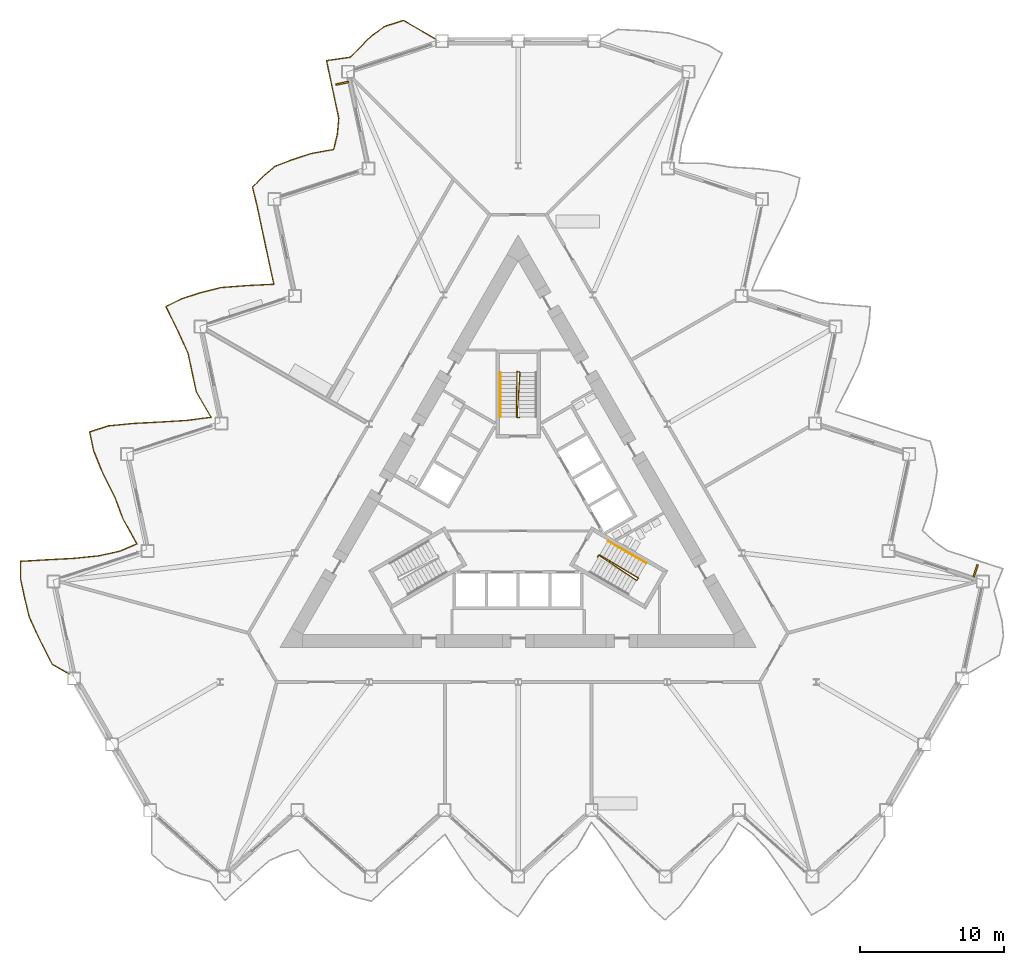
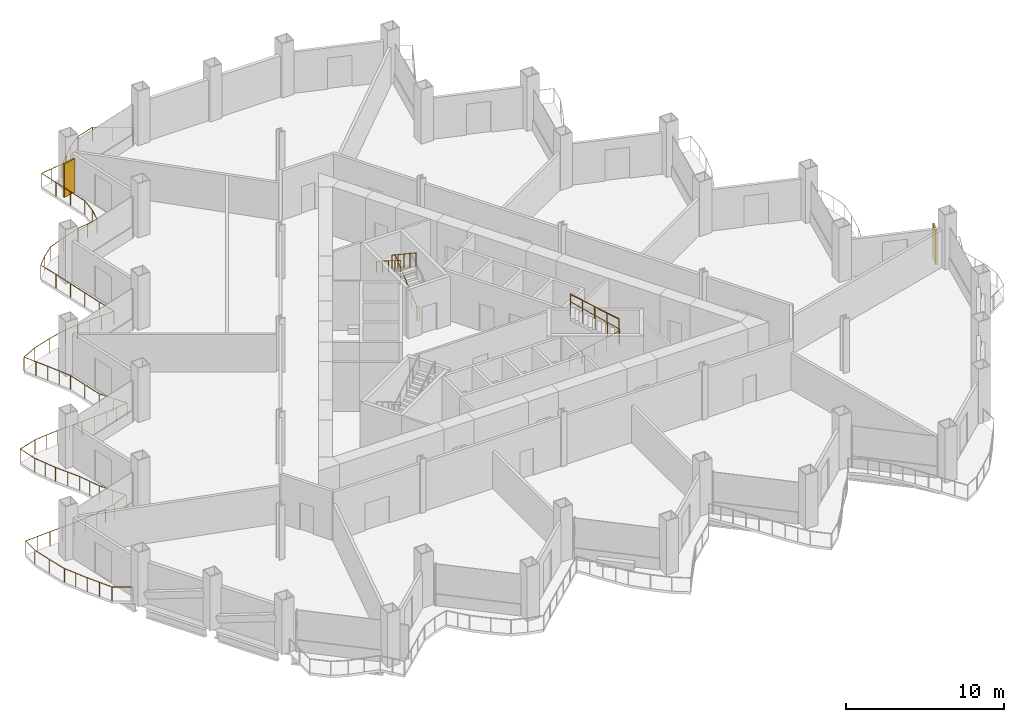
# One storey, part 18 of 21: 5 railings, 2 shading devices.
"""IFC4 building model written with IfcOpenShell, lengths in metres."""

from ifc_helpers import new_model, si_unit, direction, frame, origin, origin_2d, place, context, subcontext, project, spatial, rectangle, circle, extrude, material, layer, layer_set, type_object, element, save


model = new_model("IFC4")

# Units and contexts
model_context = context("Model", 3, precision=1e-05, world=origin(), true_north=direction((0.0, 1.0)))
body_context = subcontext(model_context, "Body", "Model", "MODEL_VIEW")
ifc_project = project(units=[si_unit("LENGTHUNIT", "METRE"), si_unit("AREAUNIT", "SQUARE_METRE"), si_unit("VOLUMEUNIT", "CUBIC_METRE"), si_unit("PLANEANGLEUNIT", "RADIAN"), si_unit("MASSUNIT", "GRAM", prefix="KILO")], contexts=[model_context])

# Site, building, storey
site_placement = place(None, origin())
site = spatial("IfcSite", under=ifc_project, at=site_placement, CompositionType="ELEMENT")
building_placement = place(site_placement, origin())
building = spatial("IfcBuilding", under=site, at=building_placement, Name="Cormorant Prow Tower", CompositionType="ELEMENT")
storey_placement = place(building_placement, frame((0.0, 0.0, 150.0)))
storey = spatial("IfcBuildingStorey", under=building, at=storey_placement, Name="L32", CompositionType="ELEMENT", Elevation=150.0)

# Railings
ifc_material_1 = material(Name="Aluminium 6063-T6", Category="aluminium")
railing_type_1 = type_object("IfcRailingType", Name="Balcony guard 1100", PredefinedType="GUARDRAIL", material=ifc_material_1)
railing_1_placement = place(storey_placement, frame((-5.726806640625, 32.64404296875, 0.0)))
element("IfcRailing", 1, at=railing_1_placement, inside=storey, type_object=railing_type_1, Name="Balcony guard WNW", PredefinedType="GUARDRAIL", context=body_context, shape_type="SweptSolid", body=[
    extrude(circle(Radius=0.02392578125, at=origin_2d()), frame((0.0, 0.0, 1.076171875), z_axis=(-0.866013163002, 0.500021201058, 0.0), x_axis=(-0.500021201058, -0.866013163002, 0.0)), (0.0, 0.0, 1.0), 2.5703125),
    extrude(circle(Radius=0.02392578125, at=origin_2d()), frame((-2.225830078125, 1.28515625, 1.076171875), z_axis=(-0.951048499749, -0.309041665678, 0.0), x_axis=(0.309041665678, -0.951048499749, 0.0)), (0.0, 0.0, 1.0), 1.367431640625),
    extrude(circle(Radius=0.02392578125, at=origin_2d()), frame((-3.5263671875, 0.862548828125, 1.076171875), z_axis=(-0.812934503585, -0.582355126088, 0.0), x_axis=(0.582355126088, -0.812934503585, 0.0)), (0.0, 0.0, 1.0), 1.115966796875),
    extrude(circle(Radius=0.02392578125, at=origin_2d()), frame((-4.43359375, 0.212646484375, 1.076171875), z_axis=(-0.705013730927, -0.709193654233, 0.0), x_axis=(0.709193654233, -0.705013730927, 0.0)), (0.0, 0.0, 1.0), 1.05126953125),
    extrude(circle(Radius=0.02392578125, at=origin_2d()), frame((-5.1748046875, -0.532958984375, 1.076171875), z_axis=(-0.714016120547, -0.700129259208, 0.0), x_axis=(0.700129259208, -0.714016120547, 0.0)), (0.0, 0.0, 1.0), 1.054931640625),
    extrude(circle(Radius=0.02392578125, at=origin_2d()), frame((-5.927978515625, -1.271484375, 1.076171875), z_axis=(-0.9900911966, -0.140425860918, 0.0), x_axis=(0.140425860918, -0.9900911966, 0.0)), (0.0, 0.0, 1.0), 1.648193359375),
    extrude(circle(Radius=0.02392578125, at=origin_2d()), frame((-7.559814453125, -1.5029296875, 1.076171875), z_axis=(0.207980456921, -0.978132981521, 0.0), x_axis=(0.978132981521, 0.207980456921, 0.0)), (0.0, 0.0, 1.0), 1.367431640625),
    extrude(circle(Radius=0.02392578125, at=origin_2d()), frame((-7.275390625, -2.840576171875, 1.076171875), z_axis=(0.207809645624, -0.978169285546, 0.0), x_axis=(0.978169285546, 0.207809645624, 0.0)), (0.0, 0.0, 1.0), 1.367431640625),
    extrude(circle(Radius=0.02392578125, at=origin_2d()), frame((-6.9912109375, -4.17822265625, 1.076171875), z_axis=(0.207980456921, -0.978132981521, 0.0), x_axis=(0.978132981521, 0.207980456921, 0.0)), (0.0, 0.0, 1.0), 1.367431640625),
    extrude(circle(Radius=0.02392578125, at=origin_2d()), frame((-6.706787109375, -5.515869140625, 1.076171875), z_axis=(-0.094829715235, -0.995493508321, 0.0), x_axis=(0.995493508321, -0.094829715235, 0.0)), (0.0, 0.0, 1.0), 1.117431640625),
    extrude(circle(Radius=0.02392578125, at=origin_2d()), frame((-6.812744140625, -6.628173828125, 1.076171875), z_axis=(-0.233094177119, -0.972454165806, 0.0), x_axis=(0.972454165806, -0.233094177119, 0.0)), (0.0, 0.0, 1.0), 1.06005859375),
    extrude(circle(Radius=0.02392578125, at=origin_2d()), frame((-7.059814453125, -7.658935546875, 1.076171875), z_axis=(-0.984030902532, -0.177997704653, 0.0), x_axis=(0.177997704653, -0.984030902532, 0.0)), (0.0, 0.0, 1.0), 1.5732421875),
    extrude(circle(Radius=0.02392578125, at=origin_2d()), frame((-8.60791015625, -7.93896484375, 1.076171875), z_axis=(-0.951100962389, -0.308880169877, 0.0), x_axis=(0.308880169877, -0.951100962389, 0.0)), (0.0, 0.0, 1.0), 1.367431640625),
    extrude(circle(Radius=0.02392578125, at=origin_2d()), frame((-9.908447265625, -8.361328125, 1.076171875), z_axis=(-0.933451442101, -0.358703784812, 0.0), x_axis=(0.358703784812, -0.933451442101, 0.0)), (0.0, 0.0, 1.0), 1.307373046875),
    extrude(circle(Radius=0.02392578125, at=origin_2d()), frame((-11.12890625, -8.830322265625, 1.076171875), z_axis=(-0.765642589831, -0.643266215992, 0.0), x_axis=(0.643266215992, -0.765642589831, 0.0)), (0.0, 0.0, 1.0), 1.081298828125),
    extrude(circle(Radius=0.02392578125, at=origin_2d()), frame((-11.956787109375, -9.52587890625, 1.076171875), z_axis=(-0.694644431751, -0.719353260531, 0.0), x_axis=(0.719353260531, -0.694644431751, 0.0)), (0.0, 0.0, 1.0), 1.04736328125),
    extrude(circle(Radius=0.02392578125, at=origin_2d()), frame((-12.684326171875, -10.279296875, 1.076171875), z_axis=(0.233794627552, -0.972286003256, 0.0), x_axis=(0.972286003256, 0.233794627552, 0.0)), (0.0, 0.0, 1.0), 1.4013671875),
    extrude(circle(Radius=0.02392578125, at=origin_2d()), frame((-12.356689453125, -11.641845703125, 1.076171875), z_axis=(0.207809645624, -0.978169285546, 0.0), x_axis=(0.978169285546, 0.207809645624, 0.0)), (0.0, 0.0, 1.0), 1.367431640625),
    extrude(circle(Radius=0.02392578125, at=origin_2d()), frame((-12.072509765625, -12.9794921875, 1.076171875), z_axis=(0.207980456921, -0.978132981521, 0.0), x_axis=(0.978132981521, 0.207980456921, 0.0)), (0.0, 0.0, 1.0), 1.367431640625),
    extrude(circle(Radius=0.02392578125, at=origin_2d()), frame((-11.7880859375, -14.317138671875, 1.076171875), z_axis=(0.20777336136, -0.978176993345, 0.0), x_axis=(0.978176993345, 0.20777336136, 0.0)), (0.0, 0.0, 1.0), 1.36767578125),
    extrude(circle(Radius=0.02392578125, at=origin_2d()), frame((-11.50390625, -15.655029296875, 1.076171875), z_axis=(0.21601098849, -0.976390932389, 0.0), x_axis=(0.976390932389, 0.21601098849, 0.0)), (0.0, 0.0, 1.0), 1.377685546875),
    extrude(circle(Radius=0.02392578125, at=origin_2d()), frame((-11.206298828125, -17.000244140625, 1.076171875), z_axis=(-0.9988289645, -0.048380777968, 0.0), x_axis=(0.048380777968, -0.9988289645, 0.0)), (0.0, 0.0, 1.0), 1.877197265625),
    extrude(circle(Radius=0.02392578125, at=origin_2d()), frame((-13.081298828125, -17.091064453125, 1.076171875), z_axis=(-0.996949590332, -0.078048153962, 0.0), x_axis=(0.078048153962, -0.996949590332, 0.0)), (0.0, 0.0, 1.0), 1.79541015625),
    extrude(circle(Radius=0.02392578125, at=origin_2d()), frame((-14.871337890625, -17.231201171875, 1.076171875), z_axis=(-0.970230798326, -0.242182158674, 0.0), x_axis=(0.242182158674, -0.970230798326, 0.0)), (0.0, 0.0, 1.0), 1.462646484375),
    extrude(circle(Radius=0.02392578125, at=origin_2d()), frame((-16.29052734375, -17.58544921875, 1.076171875), z_axis=(-0.951048499749, -0.309041665678, 0.0), x_axis=(0.309041665678, -0.951048499749, 0.0)), (0.0, 0.0, 1.0), 1.367431640625),
    extrude(circle(Radius=0.02392578125, at=origin_2d()), frame((-17.591064453125, -18.008056640625, 1.076171875), z_axis=(-0.897518304826, -0.440977201793, 0.0), x_axis=(0.440977201793, -0.897518304826, 0.0)), (0.0, 0.0, 1.0), 1.2236328125),
    extrude(circle(Radius=0.02392578125, at=origin_2d()), frame((-18.689208984375, -18.547607421875, 1.076171875), z_axis=(0.440561392363, -0.897722484713, 0.0), x_axis=(0.897722484713, 0.440561392363, 0.0)), (0.0, 0.0, 1.0), 1.82373046875),
    extrude(circle(Radius=0.02392578125, at=origin_2d()), frame((-17.8857421875, -20.184814453125, 1.076171875), z_axis=(0.416870155565, -0.90896604634, 0.0), x_axis=(0.90896604634, 0.416870155565, 0.0)), (0.0, 0.0, 1.0), 1.755859375),
    extrude(circle(Radius=0.02392578125, at=origin_2d()), frame((-17.15380859375, -21.78076171875, 1.076171875), z_axis=(0.20777336136, -0.978176993345, 0.0), x_axis=(0.978176993345, 0.20777336136, 0.0)), (0.0, 0.0, 1.0), 1.36767578125),
    extrude(circle(Radius=0.02392578125, at=origin_2d()), frame((-16.86962890625, -23.11865234375, 1.076171875), z_axis=(0.208016780712, -0.978125257287, 0.0), x_axis=(0.978125257287, 0.208016780712, 0.0)), (0.0, 0.0, 1.0), 1.367431640625),
    extrude(circle(Radius=0.02392578125, at=origin_2d()), frame((-16.585205078125, -24.4560546875, 1.076171875), z_axis=(0.500946487943, -0.865478258662, 0.0), x_axis=(0.865478258662, 0.500946487943, 0.0)), (0.0, 0.0, 1.0), 2.03662109375),
    extrude(circle(Radius=0.02392578125, at=origin_2d()), frame((-15.56494140625, -26.21875, 1.076171875), z_axis=(-0.99159633961, -0.129370395655, 0.0), x_axis=(0.129370395655, -0.99159633961, 0.0)), (0.0, 0.0, 1.0), 1.672119140625),
    extrude(circle(Radius=0.02392578125, at=origin_2d()), frame((-17.222900390625, -26.43505859375, 1.076171875), z_axis=(-0.998138288714, -0.060991446972, 0.0), x_axis=(0.060991446972, -0.998138288714, 0.0)), (0.0, 0.0, 1.0), 1.84130859375),
    extrude(circle(Radius=0.02392578125, at=origin_2d()), frame((-19.060791015625, -26.54736328125, 1.076171875), z_axis=(-0.998674264812, -0.051475361111, 0.0), x_axis=(0.051475361111, -0.998674264812, 0.0)), (0.0, 0.0, 1.0), 1.86865234375),
    extrude(circle(Radius=0.02392578125, at=origin_2d()), frame((-20.927001953125, -26.6435546875, 1.076171875), z_axis=(-0.99515977952, -0.098270103421, 0.0), x_axis=(0.098270103421, -0.99515977952, 0.0)), (0.0, 0.0, 1.0), 1.744140625),
    extrude(circle(Radius=0.02392578125, at=origin_2d()), frame((-22.66259765625, -26.81494140625, 1.076171875), z_axis=(-0.952925780013, -0.303203657277, 0.0), x_axis=(0.303203657277, -0.952925780013, 0.0)), (0.0, 0.0, 1.0), 1.375244140625),
    extrude(circle(Radius=0.02392578125, at=origin_2d()), frame((-23.97314453125, -27.23193359375, 1.076171875), z_axis=(0.208016780712, -0.978125257287, 0.0), x_axis=(0.978125257287, 0.208016780712, 0.0)), (0.0, 0.0, 1.0), 1.367431640625),
    extrude(circle(Radius=0.02392578125, at=origin_2d()), frame((-23.688720703125, -28.5693359375, 1.076171875), z_axis=(0.378254719551, -0.925701554032, 0.0), x_axis=(0.925701554032, 0.378254719551, 0.0)), (0.0, 0.0, 1.0), 1.659423828125),
    extrude(circle(Radius=0.02392578125, at=origin_2d()), frame((-23.06103515625, -30.10546875, 1.076171875), z_axis=(0.450579240116, -0.89273643836, 0.0), x_axis=(0.89273643836, 0.450579240116, 0.0)), (0.0, 0.0, 1.0), 1.855224609375),
    extrude(circle(Radius=0.02392578125, at=origin_2d()), frame((-22.22509765625, -31.76171875, 1.076171875), z_axis=(0.34974879663, -0.936843519087, 0.0), x_axis=(0.936843519087, 0.34974879663, 0.0)), (0.0, 0.0, 1.0), 1.596435546875),
    extrude(circle(Radius=0.02392578125, at=origin_2d()), frame((-21.666748046875, -33.25732421875, 1.076171875), z_axis=(0.48813540488, -0.872767911018, 0.0), x_axis=(0.872767911018, 0.48813540488, 0.0)), (0.0, 0.0, 1.0), 1.986083984375),
    extrude(circle(Radius=0.02392578125, at=origin_2d()), frame((-20.697265625, -34.99072265625, 1.076171875), z_axis=(-0.918245565485, -0.396011466332, 0.0), x_axis=(0.396011466332, -0.918245565485, 0.0)), (0.0, 0.0, 1.0), 1.266845703125),
    extrude(circle(Radius=0.02392578125, at=origin_2d()), frame((-21.860595703125, -35.492431640625, 1.076171875), z_axis=(-0.976229062667, -0.216741360163, 0.0), x_axis=(0.216741360163, -0.976229062667, 0.0)), (0.0, 0.0, 1.0), 1.503662109375),
    extrude(circle(Radius=0.02392578125, at=origin_2d()), frame((-23.32861328125, -35.818359375, 1.076171875), z_axis=(-0.994766043638, -0.102178855077, 0.0), x_axis=(0.102178855077, -0.994766043638, 0.0)), (0.0, 0.0, 1.0), 1.734619140625),
    extrude(circle(Radius=0.02392578125, at=origin_2d()), frame((-25.05419921875, -35.99560546875, 1.076171875), z_axis=(-0.998629730166, -0.052332227442, 0.0), x_axis=(0.052332227442, -0.998629730166, 0.0)), (0.0, 0.0, 1.0), 1.865966796875),
    extrude(circle(Radius=0.02392578125, at=origin_2d()), frame((-26.917724609375, -36.09326171875, 1.076171875), z_axis=(-0.998235392261, -0.059380987166, 0.0), x_axis=(0.059380987166, -0.998235392261, 0.0)), (0.0, 0.0, 1.0), 1.845947265625),
    extrude(circle(Radius=0.02392578125, at=origin_2d()), frame((-28.760498046875, -36.202880859375, 1.076171875), z_axis=(-0.008360911764, -0.999965046966, 0.0), x_axis=(0.999965046966, -0.008360911764, 0.0)), (0.0, 0.0, 1.0), 1.16796875),
    extrude(circle(Radius=0.02392578125, at=origin_2d()), frame((-28.770263671875, -37.370849609375, 1.076171875), z_axis=(0.207980456921, -0.978132981521, 0.0), x_axis=(0.978132981521, 0.207980456921, 0.0)), (0.0, 0.0, 1.0), 1.367431640625),
    extrude(circle(Radius=0.02392578125, at=origin_2d()), frame((-28.48583984375, -38.70849609375, 1.076171875), z_axis=(0.234209285535, -0.972186201594, 0.0), x_axis=(0.972186201594, 0.234209285535, 0.0)), (0.0, 0.0, 1.0), 1.402099609375),
    extrude(circle(Radius=0.02392578125, at=origin_2d()), frame((-28.157470703125, -40.071533203125, 1.076171875), z_axis=(0.419295333771, -0.907849890168, 0.0), x_axis=(0.907849890168, 0.419295333771, 0.0)), (0.0, 0.0, 1.0), 1.762451171875),
    extrude(circle(Radius=0.02392578125, at=origin_2d()), frame((-27.41845703125, -41.671630859375, 1.076171875), z_axis=(0.456261084709, -0.88984595441, 0.0), x_axis=(0.88984595441, 0.456261084709, 0.0)), (0.0, 0.0, 1.0), 1.873291015625),
    extrude(circle(Radius=0.02392578125, at=origin_2d()), frame((-26.563720703125, -43.338623046875, 1.076171875), z_axis=(0.866018138487, -0.500012583653, 0.0), x_axis=(0.500012583653, 0.866018138487, 0.0)), (0.0, 0.0, 1.0), 1.33544921875),
    extrude(circle(Radius=0.02099609375, at=origin_2d()), origin(), (0.0, 0.0, 1.0), 1.052001953125),
    extrude(circle(Radius=0.02099609375, at=origin_2d()), frame((-1.11279296875, 0.642578125, 0.0)), (0.0, 0.0, 1.0), 1.052001953125),
    extrude(circle(Radius=0.02099609375, at=origin_2d()), frame((-2.225830078125, 1.28515625, 0.0)), (0.0, 0.0, 1.0), 1.052001953125),
    extrude(circle(Radius=0.02099609375, at=origin_2d()), frame((-3.5263671875, 0.862548828125, 0.0)), (0.0, 0.0, 1.0), 1.052001953125),
    extrude(circle(Radius=0.02099609375, at=origin_2d()), frame((-4.43359375, 0.212646484375, 0.0)), (0.0, 0.0, 1.0), 1.052001953125),
    extrude(circle(Radius=0.02099609375, at=origin_2d()), frame((-5.1748046875, -0.532958984375, 0.0)), (0.0, 0.0, 1.0), 1.052001953125),
    extrude(circle(Radius=0.02099609375, at=origin_2d()), frame((-5.927978515625, -1.271484375, 0.0)), (0.0, 0.0, 1.0), 1.052001953125),
    extrude(circle(Radius=0.02099609375, at=origin_2d()), frame((-6.743896484375, -1.38720703125, 0.0)), (0.0, 0.0, 1.0), 1.052001953125),
    extrude(circle(Radius=0.02099609375, at=origin_2d()), frame((-7.559814453125, -1.5029296875, 0.0)), (0.0, 0.0, 1.0), 1.052001953125),
    extrude(circle(Radius=0.02099609375, at=origin_2d()), frame((-7.275390625, -2.840576171875, 0.0)), (0.0, 0.0, 1.0), 1.052001953125),
    extrude(circle(Radius=0.02099609375, at=origin_2d()), frame((-6.9912109375, -4.17822265625, 0.0)), (0.0, 0.0, 1.0), 1.052001953125),
    extrude(circle(Radius=0.02099609375, at=origin_2d()), frame((-6.706787109375, -5.515869140625, 0.0)), (0.0, 0.0, 1.0), 1.052001953125),
    extrude(circle(Radius=0.02099609375, at=origin_2d()), frame((-6.812744140625, -6.628173828125, 0.0)), (0.0, 0.0, 1.0), 1.052001953125),
    extrude(circle(Radius=0.02099609375, at=origin_2d()), frame((-7.059814453125, -7.658935546875, 0.0)), (0.0, 0.0, 1.0), 1.052001953125),
    extrude(circle(Radius=0.02099609375, at=origin_2d()), frame((-7.833984375, -7.798828125, 0.0)), (0.0, 0.0, 1.0), 1.052001953125),
    extrude(circle(Radius=0.02099609375, at=origin_2d()), frame((-8.60791015625, -7.93896484375, 0.0)), (0.0, 0.0, 1.0), 1.052001953125),
    extrude(circle(Radius=0.02099609375, at=origin_2d()), frame((-9.908447265625, -8.361328125, 0.0)), (0.0, 0.0, 1.0), 1.052001953125),
    extrude(circle(Radius=0.02099609375, at=origin_2d()), frame((-11.12890625, -8.830322265625, 0.0)), (0.0, 0.0, 1.0), 1.052001953125),
    extrude(circle(Radius=0.02099609375, at=origin_2d()), frame((-11.956787109375, -9.52587890625, 0.0)), (0.0, 0.0, 1.0), 1.052001953125),
    extrude(circle(Radius=0.02099609375, at=origin_2d()), frame((-12.684326171875, -10.279296875, 0.0)), (0.0, 0.0, 1.0), 1.052001953125),
    extrude(circle(Radius=0.02099609375, at=origin_2d()), frame((-12.356689453125, -11.641845703125, 0.0)), (0.0, 0.0, 1.0), 1.052001953125),
    extrude(circle(Radius=0.02099609375, at=origin_2d()), frame((-12.072509765625, -12.9794921875, 0.0)), (0.0, 0.0, 1.0), 1.052001953125),
    extrude(circle(Radius=0.02099609375, at=origin_2d()), frame((-11.7880859375, -14.317138671875, 0.0)), (0.0, 0.0, 1.0), 1.052001953125),
    extrude(circle(Radius=0.02099609375, at=origin_2d()), frame((-11.50390625, -15.655029296875, 0.0)), (0.0, 0.0, 1.0), 1.052001953125),
    extrude(circle(Radius=0.02099609375, at=origin_2d()), frame((-11.206298828125, -17.000244140625, 0.0)), (0.0, 0.0, 1.0), 1.052001953125),
    extrude(circle(Radius=0.02099609375, at=origin_2d()), frame((-12.143798828125, -17.045654296875, 0.0)), (0.0, 0.0, 1.0), 1.052001953125),
    extrude(circle(Radius=0.02099609375, at=origin_2d()), frame((-13.081298828125, -17.091064453125, 0.0)), (0.0, 0.0, 1.0), 1.052001953125),
    extrude(circle(Radius=0.02099609375, at=origin_2d()), frame((-13.976318359375, -17.1611328125, 0.0)), (0.0, 0.0, 1.0), 1.052001953125),
    extrude(circle(Radius=0.02099609375, at=origin_2d()), frame((-14.871337890625, -17.231201171875, 0.0)), (0.0, 0.0, 1.0), 1.052001953125),
    extrude(circle(Radius=0.02099609375, at=origin_2d()), frame((-16.29052734375, -17.58544921875, 0.0)), (0.0, 0.0, 1.0), 1.052001953125),
    extrude(circle(Radius=0.02099609375, at=origin_2d()), frame((-17.591064453125, -18.008056640625, 0.0)), (0.0, 0.0, 1.0), 1.052001953125),
    extrude(circle(Radius=0.02099609375, at=origin_2d()), frame((-18.689208984375, -18.547607421875, 0.0)), (0.0, 0.0, 1.0), 1.052001953125),
    extrude(circle(Radius=0.02099609375, at=origin_2d()), frame((-18.28759765625, -19.3662109375, 0.0)), (0.0, 0.0, 1.0), 1.052001953125),
    extrude(circle(Radius=0.02099609375, at=origin_2d()), frame((-17.8857421875, -20.184814453125, 0.0)), (0.0, 0.0, 1.0), 1.052001953125),
    extrude(circle(Radius=0.02099609375, at=origin_2d()), frame((-17.519775390625, -20.98291015625, 0.0)), (0.0, 0.0, 1.0), 1.052001953125),
    extrude(circle(Radius=0.02099609375, at=origin_2d()), frame((-17.15380859375, -21.78076171875, 0.0)), (0.0, 0.0, 1.0), 1.052001953125),
    extrude(circle(Radius=0.02099609375, at=origin_2d()), frame((-16.86962890625, -23.11865234375, 0.0)), (0.0, 0.0, 1.0), 1.052001953125),
    extrude(circle(Radius=0.02099609375, at=origin_2d()), frame((-16.585205078125, -24.4560546875, 0.0)), (0.0, 0.0, 1.0), 1.052001953125),
    extrude(circle(Radius=0.02099609375, at=origin_2d()), frame((-16.0751953125, -25.33740234375, 0.0)), (0.0, 0.0, 1.0), 1.052001953125),
    extrude(circle(Radius=0.02099609375, at=origin_2d()), frame((-15.56494140625, -26.21875, 0.0)), (0.0, 0.0, 1.0), 1.052001953125),
    extrude(circle(Radius=0.02099609375, at=origin_2d()), frame((-16.39404296875, -26.326904296875, 0.0)), (0.0, 0.0, 1.0), 1.052001953125),
    extrude(circle(Radius=0.02099609375, at=origin_2d()), frame((-17.222900390625, -26.43505859375, 0.0)), (0.0, 0.0, 1.0), 1.052001953125),
    extrude(circle(Radius=0.02099609375, at=origin_2d()), frame((-18.141845703125, -26.4912109375, 0.0)), (0.0, 0.0, 1.0), 1.052001953125),
    extrude(circle(Radius=0.02099609375, at=origin_2d()), frame((-19.060791015625, -26.54736328125, 0.0)), (0.0, 0.0, 1.0), 1.052001953125),
    extrude(circle(Radius=0.02099609375, at=origin_2d()), frame((-19.993896484375, -26.595458984375, 0.0)), (0.0, 0.0, 1.0), 1.052001953125),
    extrude(circle(Radius=0.02099609375, at=origin_2d()), frame((-20.927001953125, -26.6435546875, 0.0)), (0.0, 0.0, 1.0), 1.052001953125),
    extrude(circle(Radius=0.02099609375, at=origin_2d()), frame((-21.794921875, -26.729248046875, 0.0)), (0.0, 0.0, 1.0), 1.052001953125),
    extrude(circle(Radius=0.02099609375, at=origin_2d()), frame((-22.66259765625, -26.81494140625, 0.0)), (0.0, 0.0, 1.0), 1.052001953125),
    extrude(circle(Radius=0.02099609375, at=origin_2d()), frame((-23.97314453125, -27.23193359375, 0.0)), (0.0, 0.0, 1.0), 1.052001953125),
    extrude(circle(Radius=0.02099609375, at=origin_2d()), frame((-23.688720703125, -28.5693359375, 0.0)), (0.0, 0.0, 1.0), 1.052001953125),
    extrude(circle(Radius=0.02099609375, at=origin_2d()), frame((-23.375, -29.33740234375, 0.0)), (0.0, 0.0, 1.0), 1.052001953125),
    extrude(circle(Radius=0.02099609375, at=origin_2d()), frame((-23.06103515625, -30.10546875, 0.0)), (0.0, 0.0, 1.0), 1.052001953125),
    extrude(circle(Radius=0.02099609375, at=origin_2d()), frame((-22.64306640625, -30.93359375, 0.0)), (0.0, 0.0, 1.0), 1.052001953125),
    extrude(circle(Radius=0.02099609375, at=origin_2d()), frame((-22.22509765625, -31.76171875, 0.0)), (0.0, 0.0, 1.0), 1.052001953125),
    extrude(circle(Radius=0.02099609375, at=origin_2d()), frame((-21.94580078125, -32.509521484375, 0.0)), (0.0, 0.0, 1.0), 1.052001953125),
    extrude(circle(Radius=0.02099609375, at=origin_2d()), frame((-21.666748046875, -33.25732421875, 0.0)), (0.0, 0.0, 1.0), 1.052001953125),
    extrude(circle(Radius=0.02099609375, at=origin_2d()), frame((-21.18212890625, -34.1240234375, 0.0)), (0.0, 0.0, 1.0), 1.052001953125),
    extrude(circle(Radius=0.02099609375, at=origin_2d()), frame((-20.697265625, -34.99072265625, 0.0)), (0.0, 0.0, 1.0), 1.052001953125),
    extrude(circle(Radius=0.02099609375, at=origin_2d()), frame((-21.860595703125, -35.492431640625, 0.0)), (0.0, 0.0, 1.0), 1.052001953125),
    extrude(circle(Radius=0.02099609375, at=origin_2d()), frame((-22.5947265625, -35.6552734375, 0.0)), (0.0, 0.0, 1.0), 1.052001953125),
    extrude(circle(Radius=0.02099609375, at=origin_2d()), frame((-23.32861328125, -35.818359375, 0.0)), (0.0, 0.0, 1.0), 1.052001953125),
    extrude(circle(Radius=0.02099609375, at=origin_2d()), frame((-24.19140625, -35.906982421875, 0.0)), (0.0, 0.0, 1.0), 1.052001953125),
    extrude(circle(Radius=0.02099609375, at=origin_2d()), frame((-25.05419921875, -35.99560546875, 0.0)), (0.0, 0.0, 1.0), 1.052001953125),
    extrude(circle(Radius=0.02099609375, at=origin_2d()), frame((-25.98583984375, -36.04443359375, 0.0)), (0.0, 0.0, 1.0), 1.052001953125),
    extrude(circle(Radius=0.02099609375, at=origin_2d()), frame((-26.917724609375, -36.09326171875, 0.0)), (0.0, 0.0, 1.0), 1.052001953125),
    extrude(circle(Radius=0.02099609375, at=origin_2d()), frame((-27.839111328125, -36.14794921875, 0.0)), (0.0, 0.0, 1.0), 1.052001953125),
    extrude(circle(Radius=0.02099609375, at=origin_2d()), frame((-28.760498046875, -36.202880859375, 0.0)), (0.0, 0.0, 1.0), 1.052001953125),
    extrude(circle(Radius=0.02099609375, at=origin_2d()), frame((-28.770263671875, -37.370849609375, 0.0)), (0.0, 0.0, 1.0), 1.052001953125),
    extrude(circle(Radius=0.02099609375, at=origin_2d()), frame((-28.48583984375, -38.70849609375, 0.0)), (0.0, 0.0, 1.0), 1.052001953125),
    extrude(circle(Radius=0.02099609375, at=origin_2d()), frame((-28.157470703125, -40.071533203125, 0.0)), (0.0, 0.0, 1.0), 1.052001953125),
    extrude(circle(Radius=0.02099609375, at=origin_2d()), frame((-27.7880859375, -40.87158203125, 0.0)), (0.0, 0.0, 1.0), 1.052001953125),
    extrude(circle(Radius=0.02099609375, at=origin_2d()), frame((-27.41845703125, -41.671630859375, 0.0)), (0.0, 0.0, 1.0), 1.052001953125),
    extrude(circle(Radius=0.02099609375, at=origin_2d()), frame((-26.9912109375, -42.505126953125, 0.0)), (0.0, 0.0, 1.0), 1.052001953125),
    extrude(circle(Radius=0.02099609375, at=origin_2d()), frame((-26.563720703125, -43.338623046875, 0.0)), (0.0, 0.0, 1.0), 1.052001953125),
    extrude(circle(Radius=0.02099609375, at=origin_2d()), frame((-25.4072265625, -44.00634765625, 0.0)), (0.0, 0.0, 1.0), 1.052001953125),
])
ifc_material_2 = material(Name="Stainless steel", Category="steel")
railing_type_2 = type_object("IfcRailingType", Name="Stair guard 1100", PredefinedType="GUARDRAIL", material=ifc_material_2)
railing_2_placement = place(storey_placement, frame((5.510009765625, -3.267822265625, 0.0)))
element("IfcRailing", 2, at=railing_2_placement, inside=storey, type_object=railing_type_2, Name="L32 ST2 stair guard 1", PredefinedType="GUARDRAIL", context=body_context, shape_type="SweptSolid", body=[
    extrude(circle(Radius=0.02392578125, at=origin_2d()), frame((0.0, 0.0, 1.076171875), z_axis=(0.501036270542, 0.865426285481, 0.0), x_axis=(-0.865426285481, 0.501036270542, 0.0)), (0.0, 0.0, 1.0), 0.150146484375),
    extrude(circle(Radius=0.02392578125, at=origin_2d()), frame((0.0751953125, 0.1298828125, 1.076171875), z_axis=(0.691630634645, -0.46052652377, 0.556383308633), x_axis=(0.554233058506, 0.832361530141, 0.0)), (0.0, 0.0, 1.0), 3.774658203125),
    extrude(circle(Radius=0.02392578125, at=origin_2d()), frame((2.685791015625, -1.6083984375, 3.17626953125), z_axis=(0.695164929852, 0.718850276695, 0.0), x_axis=(-0.718850276695, 0.695164929852, 0.0)), (0.0, 0.0, 1.0), 0.2060546875),
    extrude(circle(Radius=0.02392578125, at=origin_2d()), frame((2.8291015625, -1.460205078125, 3.17626953125), z_axis=(-0.712489022558, 0.426677363931, 0.55705100291), x_axis=(-0.513773053629, -0.857926132814, 0.0)), (0.0, 0.0, 1.0), 3.76953125),
    extrude(circle(Radius=0.02099609375, at=origin_2d()), origin(), (0.0, 0.0, 1.0), 1.052001953125),
    extrude(circle(Radius=0.02099609375, at=origin_2d()), frame((0.0751953125, 0.1298828125, 0.0)), (0.0, 0.0, 1.0), 1.052001953125),
    extrude(circle(Radius=0.02099609375, at=origin_2d()), frame((0.727783203125, -0.3046875, 0.52490234375)), (0.0, 0.0, 1.0), 1.052001953125),
    extrude(circle(Radius=0.02099609375, at=origin_2d()), frame((1.38037109375, -0.7392578125, 1.050048828125)), (0.0, 0.0, 1.0), 1.052001953125),
    extrude(circle(Radius=0.02099609375, at=origin_2d()), frame((2.033203125, -1.173828125, 1.5751953125)), (0.0, 0.0, 1.0), 1.052001953125),
    extrude(circle(Radius=0.02099609375, at=origin_2d()), frame((2.685791015625, -1.6083984375, 2.10009765625)), (0.0, 0.0, 1.0), 1.052001953125),
    extrude(circle(Radius=0.02099609375, at=origin_2d()), frame((2.8291015625, -1.460205078125, 2.10009765625)), (0.0, 0.0, 1.0), 1.052001953125),
    extrude(circle(Radius=0.02099609375, at=origin_2d()), frame((2.15771484375, -1.05810546875, 2.625)), (0.0, 0.0, 1.0), 1.052001953125),
    extrude(circle(Radius=0.02099609375, at=origin_2d()), frame((1.486328125, -0.656005859375, 3.14990234375)), (0.0, 0.0, 1.0), 1.052001953125),
    extrude(circle(Radius=0.02099609375, at=origin_2d()), frame((0.814697265625, -0.25390625, 3.675048828125)), (0.0, 0.0, 1.0), 1.052001953125),
    extrude(circle(Radius=0.02099609375, at=origin_2d()), frame((0.143310546875, 0.148193359375, 4.199951171875)), (0.0, 0.0, 1.0), 1.052001953125),
])
railing_3_placement = place(storey_placement, frame((0.074951171875, 6.40576171875, 0.0)))
element("IfcRailing", 3, at=railing_3_placement, inside=storey, type_object=railing_type_2, Name="L32 ST3 stair guard 1", PredefinedType="GUARDRAIL", context=body_context, shape_type="SweptSolid", body=[
    extrude(circle(Radius=0.02392578125, at=origin_2d()), frame((0.0, 0.0, 1.076171875), z_axis=(-1.0, 0.0, 0.0), x_axis=(0.0, -1.0, 0.0)), (0.0, 0.0, 1.0), 0.14990234375),
    extrude(circle(Radius=0.02392578125, at=origin_2d()), frame((-0.14990234375, 0.0, 1.076171875), z_axis=(0.052971918151, 0.829246596605, 0.556366837532), x_axis=(-0.997965923181, 0.063749636618, 0.0)), (0.0, 0.0, 1.0), 3.774658203125),
    extrude(circle(Radius=0.02392578125, at=origin_2d()), frame((0.050048828125, 3.130126953125, 3.17626953125), z_axis=(-0.970072785993, 0.242814311512, 0.0), x_axis=(-0.242814311512, -0.970072785993, 0.0)), (0.0, 0.0, 1.0), 0.2060546875),
    extrude(circle(Radius=0.02392578125, at=origin_2d()), frame((-0.14990234375, 3.18017578125, 3.17626953125), z_axis=(-0.013277099958, -0.830369261271, 0.557055301162), x_axis=(0.999872194171, -0.015987348866, 0.0)), (0.0, 0.0, 1.0), 3.76953125),
    extrude(circle(Radius=0.02099609375, at=origin_2d()), origin(), (0.0, 0.0, 1.0), 1.052001953125),
    extrude(circle(Radius=0.02099609375, at=origin_2d()), frame((-0.14990234375, 0.0, 0.0)), (0.0, 0.0, 1.0), 1.052001953125),
    extrude(circle(Radius=0.02099609375, at=origin_2d()), frame((-0.099853515625, 0.782470703125, 0.52490234375)), (0.0, 0.0, 1.0), 1.052001953125),
    extrude(circle(Radius=0.02099609375, at=origin_2d()), frame((-0.0498046875, 1.56494140625, 1.050048828125)), (0.0, 0.0, 1.0), 1.052001953125),
    extrude(circle(Radius=0.02099609375, at=origin_2d()), frame((0.0, 2.34765625, 1.5751953125)), (0.0, 0.0, 1.0), 1.052001953125),
    extrude(circle(Radius=0.02099609375, at=origin_2d()), frame((0.050048828125, 3.130126953125, 2.10009765625)), (0.0, 0.0, 1.0), 1.052001953125),
    extrude(circle(Radius=0.02099609375, at=origin_2d()), frame((-0.14990234375, 3.18017578125, 2.10009765625)), (0.0, 0.0, 1.0), 1.052001953125),
    extrude(circle(Radius=0.02099609375, at=origin_2d()), frame((-0.162353515625, 2.397705078125, 2.625)), (0.0, 0.0, 1.0), 1.052001953125),
    extrude(circle(Radius=0.02099609375, at=origin_2d()), frame((-0.1748046875, 1.615234375, 3.14990234375)), (0.0, 0.0, 1.0), 1.052001953125),
    extrude(circle(Radius=0.02099609375, at=origin_2d()), frame((-0.1875, 0.83251953125, 3.675048828125)), (0.0, 0.0, 1.0), 1.052001953125),
    extrude(circle(Radius=0.02099609375, at=origin_2d()), frame((-0.199951171875, 0.050048828125, 4.199951171875)), (0.0, 0.0, 1.0), 1.052001953125),
])
ifc_material_3 = material(Name="Stainless steel", Category="steel")
railing_type_3 = type_object("IfcRailingType", Name="Stair handrail 900", PredefinedType="HANDRAIL", material=ifc_material_3)
railing_4_placement = place(storey_placement, frame((8.88037109375, -3.690673828125, 2.27490234375)))
element("IfcRailing", 4, at=railing_4_placement, inside=storey, type_object=railing_type_3, Name="L32 ST2 stair handrail 2", PredefinedType="HANDRAIL", context=body_context, shape_type="SweptSolid", body=[
    extrude(circle(Radius=0.02392578125, at=origin_2d()), frame((0.0, 0.0, 0.8759765625), z_axis=(-0.734394994316, 0.423994474112, 0.52999309264), x_axis=(-0.499992328818, -0.866029832698, 0.0)), (0.0, 0.0, 1.0), 3.63232421875),
    extrude(circle(Radius=0.02099609375, at=origin_2d()), origin(), (0.0, 0.0, 1.0), 0.851806640625),
    extrude(circle(Radius=0.02099609375, at=origin_2d()), frame((-0.6669921875, 0.385009765625, 0.481201171875)), (0.0, 0.0, 1.0), 0.851806640625),
    extrude(circle(Radius=0.02099609375, at=origin_2d()), frame((-1.333740234375, 0.77001953125, 0.96240234375)), (0.0, 0.0, 1.0), 0.851806640625),
    extrude(circle(Radius=0.02099609375, at=origin_2d()), frame((-2.00048828125, 1.155029296875, 1.44384765625)), (0.0, 0.0, 1.0), 0.851806640625),
    extrude(circle(Radius=0.02099609375, at=origin_2d()), frame((-2.66748046875, 1.5400390625, 1.925048828125)), (0.0, 0.0, 1.0), 0.851806640625),
])
railing_5_placement = place(storey_placement, frame((-1.243896484375, 9.535888671875, 2.27490234375)))
element("IfcRailing", 5, at=railing_5_placement, inside=storey, type_object=railing_type_3, Name="L32 ST3 stair handrail 2", PredefinedType="HANDRAIL", context=body_context, shape_type="SweptSolid", body=[
    extrude(circle(Radius=0.02392578125, at=origin_2d()), frame((0.0, 0.0, 0.8759765625), z_axis=(0.0, -0.847998304005, 0.529998940003), x_axis=(1.0, 0.0, 0.0)), (0.0, 0.0, 1.0), 3.632080078125),
    extrude(circle(Radius=0.02099609375, at=origin_2d()), origin(), (0.0, 0.0, 1.0), 0.851806640625),
    extrude(circle(Radius=0.02099609375, at=origin_2d()), frame((0.0, -0.77001953125, 0.481201171875)), (0.0, 0.0, 1.0), 0.851806640625),
    extrude(circle(Radius=0.02099609375, at=origin_2d()), frame((0.0, -1.5400390625, 0.96240234375)), (0.0, 0.0, 1.0), 0.851806640625),
    extrude(circle(Radius=0.02099609375, at=origin_2d()), frame((0.0, -2.31005859375, 1.44384765625)), (0.0, 0.0, 1.0), 0.851806640625),
    extrude(circle(Radius=0.02099609375, at=origin_2d()), frame((0.0, -3.080078125, 1.925048828125)), (0.0, 0.0, 1.0), 0.851806640625),
])

# Shading devices
ifc_material_4 = material(Name="Terracotta", Category="masonry")
ifc_layer = layer(ifc_material_4, 0.1201171875)
ifc_layer_set = layer_set([ifc_layer], Name="Terracotta")
shading_device_type = type_object("IfcShadingDeviceType", Name="Terracotta baguette fin 120x900x2600", PredefinedType="USERDEFINED", material=ifc_layer_set)
for number, where, z_axis, x_axis, name in (
    (6, (31.70361328125, -4.220947265625, 0.0), (0.0, 0.0, 1.0), (-0.951056525065, 0.309016967385, 0.0), "Baguette fin ENE01"),
    (7, (-12.1962890625, 29.566650390625, 0.0), (0.0, 0.0, 1.0), (0.207911666046, -0.978147605999, 0.0), "Baguette fin WNW01"),
):
    element("IfcShadingDevice", number, at=place(storey_placement, frame(where, z_axis=z_axis, x_axis=x_axis)), inside=storey, type_object=shading_device_type, Name=name, ObjectType="BAGUETTE", PredefinedType="USERDEFINED", context=body_context, shape_type="SweptSolid", body=[
        extrude(rectangle(XDim=0.1201171875, YDim=0.89990234375, at=origin_2d()), origin(), (0.0, 0.0, 1.0), 2.60009765625),
    ])

save(model, "model.ifc")
